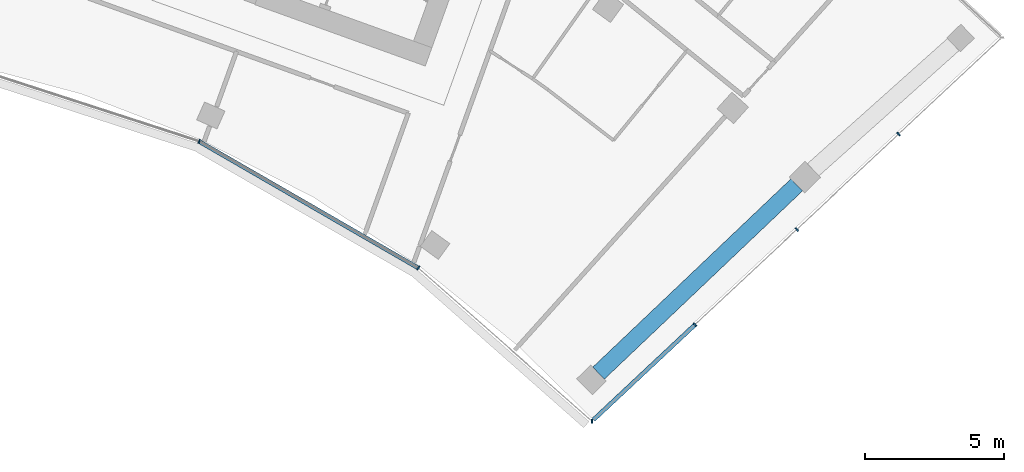
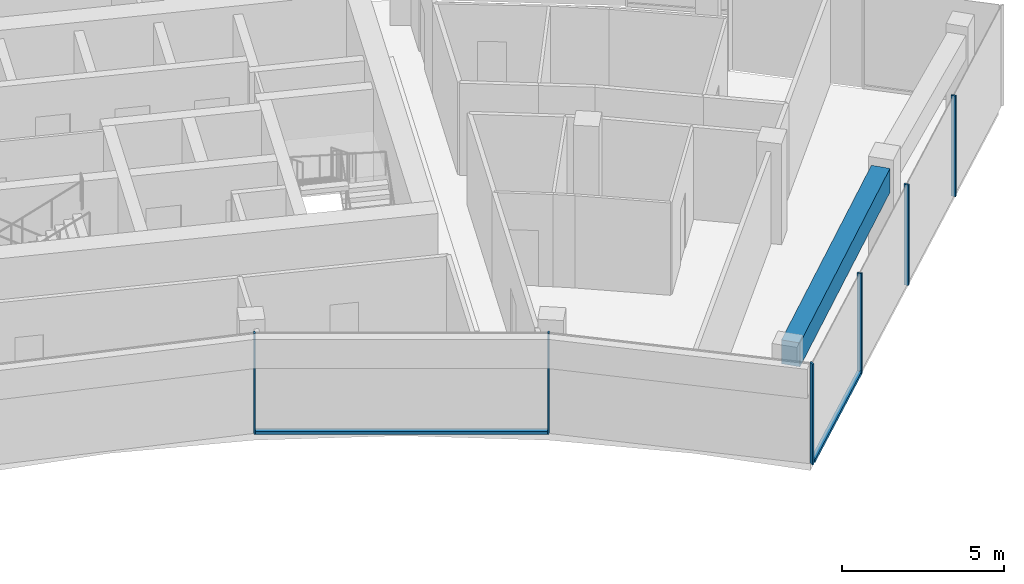
# One storey, part 8 of 18: 8 members, 1 beam, 2 elements without a shape of their own.
"""IFC4 building model written with IfcOpenShell, lengths in metres."""

import ifcopenshell
import ifcopenshell.guid

model = None  # the IFC model being written
_history = None  # IfcOwnerHistory: only IFC2X3 demands one
_inside = {}  # id of a spatial element -> (the spatial element, [elements in it])
_under = {}  # id of a project, library or spatial element -> (it, [spatial elements below it])
_declared = {}  # id of a project -> (the project, [libraries it declares])
_typed = {}  # id of a type object -> (the type object, [elements of that type])
_made_of = {}  # id of a material, layer set ... -> (it, [elements and type objects made of it])


def new_model(schema):
    """Start an empty IFC model of exactly this schema.

    Asked for "IFC4X3", IfcOpenShell would pick the latest addendum, in which some entities
    have other attributes; the version numbers below select the first issue.
    IFC2X3 requires an IfcOwnerHistory on every rooted entity: one is made here for all.
    """
    global model, _history
    if schema == "IFC4X3":
        model = ifcopenshell.file(schema_version=(4, 3, 0, 0))
    else:
        model = ifcopenshell.file(schema=schema)
    _inside.clear()
    _under.clear()
    _declared.clear()
    _typed.clear()
    _made_of.clear()
    _history = None
    if model.schema == "IFC2X3":
        org = make("IfcOrganization", Name="unknown")
        user = make(
            "IfcPersonAndOrganization",
            ThePerson=make("IfcPerson", FamilyName="unknown"),
            TheOrganization=org,
        )
        app = make(
            "IfcApplication",
            ApplicationDeveloper=org,
            Version="unknown",
            ApplicationFullName="unknown",
            ApplicationIdentifier="unknown",
        )
        _history = make(
            "IfcOwnerHistory",
            OwningUser=user,
            OwningApplication=app,
            ChangeAction="ADDED",
            CreationDate=0,
        )
    return model


def make(cls, **values):
    """One entity of the class cls with the attributes given. An attribute that is None is left unset."""
    return model.create_entity(
        cls, **{name: value for name, value in values.items() if value is not None}
    )


def rooted(cls, **values):
    """An entity with a GlobalId (a new one), such as an element, a storey or a relation."""
    return make(cls, GlobalId=ifcopenshell.guid.new(), OwnerHistory=_history, **values)


def si_unit(unit_type, name, prefix=None):
    """IfcSIUnit, for example si_unit("LENGTHUNIT", "METRE", prefix="MILLI")."""
    return make("IfcSIUnit", UnitType=unit_type, Prefix=prefix, Name=name)


def assignment(units):
    """IfcUnitAssignment: the units of a project."""
    return None if units is None else make("IfcUnitAssignment", Units=units)


def point(xyz):
    """IfcCartesianPoint."""
    return None if xyz is None else make("IfcCartesianPoint", Coordinates=xyz)


def direction(xyz):
    """IfcDirection."""
    return None if xyz is None else make("IfcDirection", DirectionRatios=xyz)


def frame(location, z_axis=None, x_axis=None):
    """IfcAxis2Placement3D, a coordinate frame: its origin and axes. An axis left out is left unset."""
    return make(
        "IfcAxis2Placement3D",
        Location=point(location),
        Axis=direction(z_axis),
        RefDirection=direction(x_axis),
    )


def frame_2d(location, x_axis=None):
    """IfcAxis2Placement2D, a coordinate frame in the plane: its origin and x axis."""
    return make(
        "IfcAxis2Placement2D", Location=point(location), RefDirection=direction(x_axis)
    )


def origin():
    """The frame at (0, 0, 0) with its axes left unset."""
    return frame((0.0, 0.0, 0.0))


def origin_2d():
    """The frame at (0, 0) in the plane with its x axis left unset."""
    return frame_2d((0.0, 0.0))


def place(relative_to, where):
    """IfcLocalPlacement: puts the frame where relative to a parent placement (None: the world)."""
    return make(
        "IfcLocalPlacement", PlacementRelTo=relative_to, RelativePlacement=where
    )


def context(
    kind, dimensions, precision=None, world=None, true_north=None, identifier=None
):
    """IfcGeometricRepresentationContext, for example the 3D "Model" context."""
    return make(
        "IfcGeometricRepresentationContext",
        ContextIdentifier=identifier,
        ContextType=kind,
        CoordinateSpaceDimension=dimensions,
        Precision=precision,
        WorldCoordinateSystem=world,
        TrueNorth=true_north,
    )


def subcontext(parent, identifier, kind, view, scale=None):
    """IfcGeometricRepresentationSubContext, for example "Body" below "Model"."""
    return make(
        "IfcGeometricRepresentationSubContext",
        ContextIdentifier=identifier,
        ContextType=kind,
        ParentContext=parent,
        TargetScale=scale,
        TargetView=view,
    )


def project(units=None, contexts=None):
    """IfcProject with its units and contexts."""
    return rooted(
        "IfcProject",
        Name="project",
        RepresentationContexts=contexts,
        UnitsInContext=assignment(units),
    )


def spatial(cls, under=None, at=None, **own):
    """A site, building, storey or space (cls), placed at a placement, below another one or the project."""
    s = rooted(cls, ObjectPlacement=at, **own)
    if under is not None:
        _under.setdefault(under.id(), (under, []))[1].append(s)
    return s


def profile(cls, at=None, kind="AREA", **sizes):
    """A parametric profile (cls). Its sizes go by their IFC names, for example OverallWidth=200.0."""
    return make(cls, ProfileType=kind, Position=at, **sizes)


def rectangle(**sizes):
    """IfcRectangleProfileDef."""
    return profile("IfcRectangleProfileDef", **sizes)


def extrude(swept, where, along, depth):
    """IfcExtrudedAreaSolid: the profile swept, set in the frame where, extruded along a direction by depth."""
    return make(
        "IfcExtrudedAreaSolid",
        SweptArea=swept,
        Position=where,
        ExtrudedDirection=direction(along),
        Depth=depth,
    )


def shape(context_of_items, identifier, shape_type, items):
    """IfcShapeRepresentation: the items that make up one representation, for example the "Body"."""
    return make(
        "IfcShapeRepresentation",
        ContextOfItems=context_of_items,
        RepresentationIdentifier=identifier,
        RepresentationType=shape_type,
        Items=items,
    )


def material(Name=None, Category=None):
    """IfcMaterial."""
    return make("IfcMaterial", Name=Name, Category=Category)


def layer(
    of_material, thickness, ventilated=None, Name=None, Category=None, Priority=None
):
    """IfcMaterialLayer: one layer of a wall or slab, of a material (None: an air gap)."""
    return make(
        "IfcMaterialLayer",
        Material=of_material,
        LayerThickness=thickness,
        IsVentilated=ventilated,
        Name=Name,
        Category=Category,
        Priority=Priority,
    )


def layer_set(layers, Name=None):
    """IfcMaterialLayerSet."""
    return make("IfcMaterialLayerSet", MaterialLayers=layers, LayerSetName=Name)


def material_profile(
    of_material, cross_section, Name=None, Category=None, Priority=None
):
    """IfcMaterialProfile: a cross section and its material."""
    return make(
        "IfcMaterialProfile",
        Name=Name,
        Material=of_material,
        Profile=cross_section,
        Priority=Priority,
        Category=Category,
    )


def profile_set(profiles, Name=None, composite=None):
    """IfcMaterialProfileSet."""
    return make(
        "IfcMaterialProfileSet",
        Name=Name,
        MaterialProfiles=profiles,
        CompositeProfile=composite,
    )


def made_of(thing, what):
    """Note that an element or type object is made of a material, layer set ...; save() writes the relation."""
    if what is not None:
        _made_of.setdefault(what.id(), (what, []))[1].append(thing)
    return thing


def type_object(cls, material=None, **own):
    """A type object (cls), such as IfcWallType, which elements share."""
    return made_of(rooted(cls, **own), material)


def element(
    cls,
    number,
    at=None,
    inside=None,
    cuts=None,
    type_object=None,
    material=None,
    context=None,
    identifier="Body",
    shape_type=None,
    held_by="IfcProductDefinitionShape",
    body=None,
    shapes=None,
    **own,
):
    """One element of the class cls, such as IfcWall. Its Tag is "e" and its number.

    at: its placement. inside: the storey or other place that contains it. cuts: it is an
    opening in that element (IfcRelVoidsElement). A single representation is given by context,
    identifier, shape_type and body (its items); several are given by shapes. held_by: the class
    of the entity that holds the representations. save() writes the other relations.
    """
    e = rooted(cls, Tag="e%d" % number, ObjectPlacement=at, **own)
    if body is not None:
        shapes = [shape(context, identifier, shape_type, body)]
    if shapes is not None:
        e.Representation = make(held_by, Representations=shapes)
    if inside is not None:
        _inside.setdefault(inside.id(), (inside, []))[1].append(e)
    if cuts is not None:
        rooted(
            "IfcRelVoidsElement", RelatingBuildingElement=cuts, RelatedOpeningElement=e
        )
    if type_object is not None:
        _typed.setdefault(type_object.id(), (type_object, []))[1].append(e)
    return made_of(e, material)


def aggregate(whole, parts):
    """IfcRelAggregates: a whole, such as a stair, and the parts it consists of."""
    return rooted("IfcRelAggregates", RelatingObject=whole, RelatedObjects=parts)


def save(model, path):
    """Write the relations noted so far, then the file.

    IfcRelAggregates (storeys below a building ...), IfcRelContainedInSpatialStructure (elements
    in a storey), IfcRelDefinesByType, IfcRelAssociatesMaterial and IfcRelDeclares: one each for
    every whole, place, type object, material and project.
    """
    for whole, parts in _under.values():
        aggregate(whole, parts)
    for where, things in _inside.values():
        rooted(
            "IfcRelContainedInSpatialStructure",
            RelatedElements=things,
            RelatingStructure=where,
        )
    for kind, things in _typed.values():
        rooted("IfcRelDefinesByType", RelatedObjects=things, RelatingType=kind)
    for what, things in _made_of.values():
        rooted("IfcRelAssociatesMaterial", RelatedObjects=things, RelatingMaterial=what)
    for by, libraries in _declared.values():
        rooted("IfcRelDeclares", RelatingContext=by, RelatedDefinitions=libraries)
    model.write(path)


model = new_model("IFC4")

# Units and contexts
model_context = context("Model", 3, precision=1e-05, world=origin(), true_north=direction((0.0, 1.0)))
body_context = subcontext(model_context, "Body", "Model", "MODEL_VIEW")
ifc_project = project(units=[si_unit("LENGTHUNIT", "METRE"), si_unit("AREAUNIT", "SQUARE_METRE"), si_unit("VOLUMEUNIT", "CUBIC_METRE"), si_unit("PLANEANGLEUNIT", "RADIAN"), si_unit("MASSUNIT", "GRAM", prefix="KILO")], contexts=[model_context])

# Site, building, storey
site_placement = place(None, origin())
site = spatial("IfcSite", under=ifc_project, at=site_placement, CompositionType="ELEMENT")
building_placement = place(site_placement, origin())
building = spatial("IfcBuilding", under=site, at=building_placement, Name="Stone Belt Terrace Tower", CompositionType="ELEMENT")
storey_placement = place(building_placement, frame((0.0, 0.0, 288.39990234375)))
storey = spatial("IfcBuildingStorey", under=building, at=storey_placement, Name="L70", CompositionType="ELEMENT", Elevation=288.39990234375)

# Curtain wall, members
ifc_material_1 = material(Name="Aluminium 6063-T6 anodised frame", Category="aluminium")
ifc_layer_1 = layer(ifc_material_1, 0.14990234375)
ifc_layer_set_1 = layer_set([ifc_layer_1], Name="CW-B unitised concave-face curtain wall")
curtain_wall_type_1 = type_object("IfcCurtainWallType", Name="CW-B unitised concave-face curtain wall", PredefinedType="NOTDEFINED", material=ifc_layer_set_1)
curtain_wall_1_placement = place(storey_placement, origin())
curtain_wall_1 = element("IfcCurtainWall", 1, at=curtain_wall_1_placement, inside=storey, type_object=curtain_wall_type_1, Name="CW-B concave face L70", PredefinedType="NOTDEFINED")
ifc_material_profile_1 = material_profile(ifc_material_1, rectangle(XDim=0.14990234375, YDim=0.050048828125, at=origin_2d()), Name="Aluminium 6063-T6 50x150")
ifc_profile_set_1 = profile_set([ifc_material_profile_1], Name="Aluminium 6063-T6 anodised frame")
member_type_1 = type_object("IfcMemberType", Name="CW-B mullion 50 x 150", PredefinedType="MULLION", material=ifc_profile_set_1)
member_1_placement = place(storey_placement, frame((17.662353515625, 39.67041015625, 0.0), z_axis=(0.0, 0.0, 1.0), x_axis=(0.406736643076, 0.913545457643, 0.0)))
member_1 = element("IfcMember", 2, at=member_1_placement, type_object=member_type_1, Name="CW-B mullion 7", PredefinedType="MULLION", context=body_context, shape_type="SweptSolid", body=[
    extrude(rectangle(XDim=0.14990234375, YDim=0.050048828125, at=origin_2d()), origin(), (0.0, 0.0, 1.0), 3.800048828125),
])
member_2_placement = place(storey_placement, frame((25.524658203125, 35.131103515625, 0.0), z_axis=(0.0, 0.0, 1.0), x_axis=(0.583818854632, 0.811883947973, 0.0)))
member_2 = element("IfcMember", 3, at=member_2_placement, type_object=member_type_1, Name="CW-B mullion 8", PredefinedType="MULLION", context=body_context, shape_type="SweptSolid", body=[
    extrude(rectangle(XDim=0.14990234375, YDim=0.050048828125, at=origin_2d()), origin(), (0.0, 0.0, 1.0), 3.800048828125),
])
ifc_material_profile_2 = material_profile(ifc_material_1, rectangle(XDim=0.14990234375, YDim=0.1201171875, at=origin_2d()), Name="Aluminium 6063-T6 150x120")
ifc_profile_set_2 = profile_set([ifc_material_profile_2], Name="Aluminium 6063-T6 anodised frame")
member_type_2 = type_object("IfcMemberType", Name="CW-B transom 120 x 150", PredefinedType="USERDEFINED", material=ifc_profile_set_2)
member_3_placement = place(storey_placement, frame((17.690673828125, 39.654052734375, 0.06005859375), z_axis=(0.866020948727, -0.500007716307, 0.0), x_axis=(0.500007716307, 0.866020948727, 0.0)))
member_3 = element("IfcMember", 4, at=member_3_placement, type_object=member_type_2, Name="CW-B transom 7.1", ObjectType="TRANSOM", PredefinedType="USERDEFINED", context=body_context, shape_type="SweptSolid", body=[
    extrude(rectangle(XDim=0.14990234375, YDim=0.1201171875, at=origin_2d()), origin(), (0.0, 0.0, 1.0), 9.013427734375),
])
aggregate(curtain_wall_1, [member_1, member_2, member_3])

ifc_layer_2 = layer(ifc_material_1, 0.14990234375)
ifc_layer_set_2 = layer_set([ifc_layer_2], Name="CW-C stick curtain wall, horn ends and notches")
curtain_wall_type_2 = type_object("IfcCurtainWallType", Name="CW-C stick curtain wall, horn ends and notches", PredefinedType="NOTDEFINED", material=ifc_layer_set_2)
curtain_wall_2_placement = place(storey_placement, origin())
curtain_wall_2 = element("IfcCurtainWall", 5, at=curtain_wall_2_placement, inside=storey, type_object=curtain_wall_type_2, Name="CW-C end face L70", PredefinedType="NOTDEFINED")
ifc_material_profile_3 = material_profile(ifc_material_1, rectangle(XDim=0.14990234375, YDim=0.06005859375, at=origin_2d()), Name="Aluminium 6063-T6 60x150")
ifc_profile_set_3 = profile_set([ifc_material_profile_3], Name="Aluminium 6063-T6 anodised frame")
member_type_3 = type_object("IfcMemberType", Name="CW-C mullion 60 x 150", PredefinedType="MULLION", material=ifc_profile_set_3)
member_4_placement = place(storey_placement, frame((31.75244140625, 29.633056640625, 0.0), z_axis=(0.0, 0.0, 1.0), x_axis=(-0.014681639593, 0.999892218921, 0.0)))
member_4 = element("IfcMember", 6, at=member_4_placement, type_object=member_type_3, Name="CW-C mullion 1", PredefinedType="MULLION", context=body_context, shape_type="SweptSolid", body=[
    extrude(rectangle(XDim=0.14990234375, YDim=0.06005859375, at=origin_2d()), origin(), (0.0, 0.0, 1.0), 3.800048828125),
])
member_5_placement = place(storey_placement, frame((35.45166015625, 33.097412109375, 0.0), z_axis=(0.0, 0.0, 1.0), x_axis=(-0.683549434973, 0.729904219708, 0.0)))
member_5 = element("IfcMember", 7, at=member_5_placement, type_object=member_type_3, Name="CW-C mullion 2", PredefinedType="MULLION", context=body_context, shape_type="SweptSolid", body=[
    extrude(rectangle(XDim=0.14990234375, YDim=0.06005859375, at=origin_2d()), origin(), (0.0, 0.0, 1.0), 3.800048828125),
])
member_6_placement = place(storey_placement, frame((39.10107421875, 36.51513671875, 0.0), z_axis=(0.0, 0.0, 1.0), x_axis=(-0.683549434973, 0.729904219708, 0.0)))
member_6 = element("IfcMember", 8, at=member_6_placement, type_object=member_type_3, Name="CW-C mullion 3", PredefinedType="MULLION", context=body_context, shape_type="SweptSolid", body=[
    extrude(rectangle(XDim=0.14990234375, YDim=0.06005859375, at=origin_2d()), origin(), (0.0, 0.0, 1.0), 3.800048828125),
])
member_7_placement = place(storey_placement, frame((42.750732421875, 39.932861328125, 0.0), z_axis=(0.0, 0.0, 1.0), x_axis=(-0.683549434973, 0.729904219708, 0.0)))
member_7 = element("IfcMember", 9, at=member_7_placement, type_object=member_type_3, Name="CW-C mullion 4", PredefinedType="MULLION", context=body_context, shape_type="SweptSolid", body=[
    extrude(rectangle(XDim=0.14990234375, YDim=0.06005859375, at=origin_2d()), origin(), (0.0, 0.0, 1.0), 3.800048828125),
])
ifc_material_profile_4 = material_profile(ifc_material_1, rectangle(XDim=0.14990234375, YDim=0.1201171875, at=origin_2d()), Name="Aluminium 6063-T6 150x120")
ifc_profile_set_4 = profile_set([ifc_material_profile_4], Name="Aluminium 6063-T6 anodised frame")
member_type_4 = type_object("IfcMemberType", Name="CW-C transom 120 x 150", PredefinedType="USERDEFINED", material=ifc_profile_set_4)
member_8_placement = place(storey_placement, frame((31.805419921875, 29.6826171875, 0.06005859375), z_axis=(0.72988516347, 0.683569782938, 0.0), x_axis=(-0.683569782938, 0.72988516347, 0.0)))
member_8 = element("IfcMember", 10, at=member_8_placement, type_object=member_type_4, Name="CW-C transom 1.1", ObjectType="TRANSOM", PredefinedType="USERDEFINED", context=body_context, shape_type="SweptSolid", body=[
    extrude(rectangle(XDim=0.14990234375, YDim=0.1201171875, at=origin_2d()), origin(), (0.0, 0.0, 1.0), 4.965576171875),
])
aggregate(curtain_wall_2, [member_4, member_5, member_6, member_7, member_8])

# Beam
ifc_material_2 = material(Name="Concrete B60", Category="concrete")
ifc_material_profile_5 = material_profile(ifc_material_2, rectangle(XDim=0.60009765625, YDim=0.89990234375, at=origin_2d()), Name="RC 600x900")
ifc_profile_set_5 = profile_set([ifc_material_profile_5], Name="Concrete B60")
beam_type = type_object("IfcBeamType", Name="Edge beam RC 600x900 B60", PredefinedType="SPANDREL", material=ifc_profile_set_5)
beam_placement = place(storey_placement, frame((31.98876953125, 31.35791015625, 3.030029296875), z_axis=(0.72502367576, 0.688723942946, 0.0), x_axis=(-0.688723942946, 0.72502367576, 0.0)))
element("IfcBeam", 11, at=beam_placement, inside=storey, type_object=beam_type, Name="Edge beam L70 B P to Q", PredefinedType="SPANDREL", context=body_context, shape_type="SweptSolid", body=[
    extrude(rectangle(XDim=0.60009765625, YDim=0.89990234375, at=origin_2d()), origin(), (0.0, 0.0, 1.0), 9.80615234375),
])

save(model, "model.ifc")
